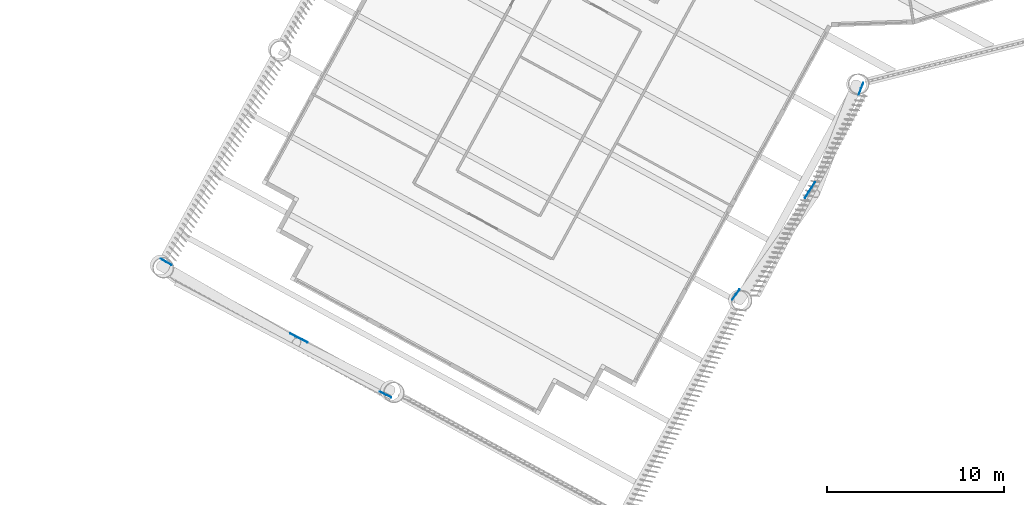
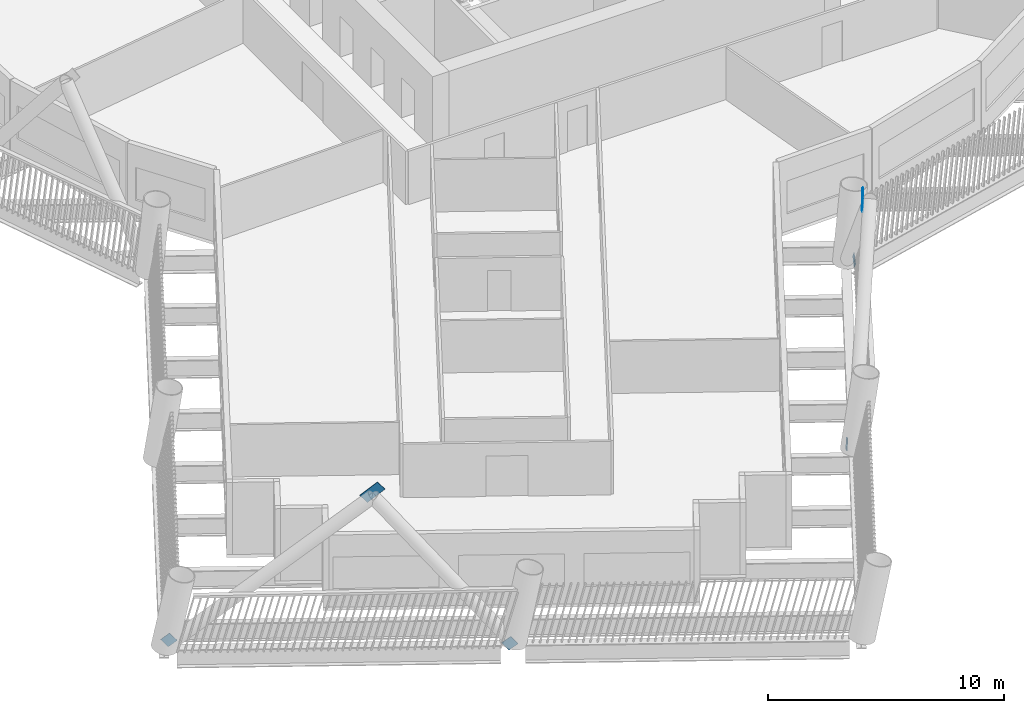
# One storey, part 9 of 24: 6 discrete accessories.
"""IFC4 building model written with IfcOpenShell, lengths in metres."""

from ifc_helpers import new_model, si_unit, direction, frame, origin, origin_2d, place, context, subcontext, project, spatial, rectangle, extrude, material, material_profile, profile_set, type_object, element, save


model = new_model("IFC4")

# Units and contexts
model_context = context("Model", 3, precision=1e-05, world=origin(), true_north=direction((0.0, 1.0)))
body_context = subcontext(model_context, "Body", "Model", "MODEL_VIEW")
ifc_project = project(units=[si_unit("LENGTHUNIT", "METRE"), si_unit("AREAUNIT", "SQUARE_METRE"), si_unit("VOLUMEUNIT", "CUBIC_METRE"), si_unit("PLANEANGLEUNIT", "RADIAN"), si_unit("MASSUNIT", "GRAM", prefix="KILO")], contexts=[model_context])

# Site, building, storey
site_placement = place(None, origin())
site = spatial("IfcSite", under=ifc_project, at=site_placement, CompositionType="ELEMENT")
building_placement = place(site_placement, origin())
building = spatial("IfcBuilding", under=site, at=building_placement, Name="Tarsis Ring Headquarters", CompositionType="ELEMENT")
storey_placement = place(building_placement, frame((0.0, 0.0, 92.800048828125)))
storey = spatial("IfcBuildingStorey", under=building, at=storey_placement, Name="L20", CompositionType="ELEMENT", Elevation=92.800048828125)

# Discrete accessories
ifc_material = material(Name="Structural steel S355", Category="steel")
ifc_material_profile = material_profile(ifc_material, rectangle(XDim=0.02490234375, YDim=0.5, at=origin_2d()), Name="PL 25x500")
ifc_profile_set = profile_set([ifc_material_profile], Name="Structural steel S355")
discrete_accessory_type = type_object("IfcDiscreteAccessoryType", Name="Gusset plate Exo brace 25", PredefinedType="BRACKET", material=ifc_profile_set)
discrete_accessory_1_placement = place(storey_placement, frame((-38.138671875, -38.970947265625, 0.0), z_axis=(0.650536900824, -0.37264238388, 0.661769895358), x_axis=(0.497050684246, 0.867721509063, 0.0)))
element("IfcDiscreteAccessory", 1, at=discrete_accessory_1_placement, inside=storey, type_object=discrete_accessory_type, Name="Gusset plate GP5", PredefinedType="BRACKET", context=body_context, shape_type="SweptSolid", body=[
    extrude(rectangle(XDim=0.02490234375, YDim=0.5, at=origin_2d()), origin(), (0.0, 0.0, 1.0), 0.5),
])
discrete_accessory_2_placement = place(storey_placement, frame((-30.8154296875, -43.190185546875, 7.468994140625), z_axis=(0.668190229309, -0.339832224771, 0.661842788329), x_axis=(0.453325619174, 0.891344985402, 0.0)))
element("IfcDiscreteAccessory", 2, at=discrete_accessory_2_placement, inside=storey, type_object=discrete_accessory_type, Name="Gusset plate GP5", PredefinedType="BRACKET", context=body_context, shape_type="SweptSolid", body=[
    extrude(rectangle(XDim=0.02490234375, YDim=0.5, at=origin_2d()), origin(), (0.0, 0.0, 1.0), 1.0),
])
for number, where, z_axis, x_axis, name in (
    (3, (-25.450927734375, -46.622802734375, 0.0), (-0.541597531355, 0.274461508225, 0.794570949968), (-0.452033061433, -0.892001183504, 0.0), "Gusset plate GP5"),
    (4, (-5.91357421875, -41.048828125, 0.0), (0.398503585393, 0.562104934788, 0.724729559709), (-0.81578761163, 0.578351599557, 0.0), "Gusset plate GP5"),
):
    element("IfcDiscreteAccessory", number, at=place(storey_placement, frame(where, z_axis=z_axis, x_axis=x_axis)), inside=storey, type_object=discrete_accessory_type, Name=name, PredefinedType="BRACKET", context=body_context, shape_type="SweptSolid", body=[
        extrude(rectangle(XDim=0.02490234375, YDim=0.5, at=origin_2d()), origin(), (0.0, 0.0, 1.0), 0.5),
    ])
discrete_accessory_3_placement = place(storey_placement, frame((-1.817626953125, -35.302978515625, 7.43701171875), z_axis=(0.36763773144, 0.581482786381, 0.725754963858), x_axis=(-0.845235850833, 0.534393447252, 0.0)))
element("IfcDiscreteAccessory", 5, at=discrete_accessory_3_placement, inside=storey, type_object=discrete_accessory_type, Name="Gusset plate GP5", PredefinedType="BRACKET", context=body_context, shape_type="SweptSolid", body=[
    extrude(rectangle(XDim=0.02490234375, YDim=0.5, at=origin_2d()), origin(), (0.0, 0.0, 1.0), 1.0),
])
discrete_accessory_4_placement = place(storey_placement, frame((1.3046875, -29.145263671875, 0.0), z_axis=(-0.232459094233, -0.602147191575, 0.763794166767), x_axis=(0.932896373619, -0.360144909848, 0.0)))
element("IfcDiscreteAccessory", 6, at=discrete_accessory_4_placement, inside=storey, type_object=discrete_accessory_type, Name="Gusset plate GP5", PredefinedType="BRACKET", context=body_context, shape_type="SweptSolid", body=[
    extrude(rectangle(XDim=0.02490234375, YDim=0.5, at=origin_2d()), origin(), (0.0, 0.0, 1.0), 0.5),
])

save(model, "model.ifc")
